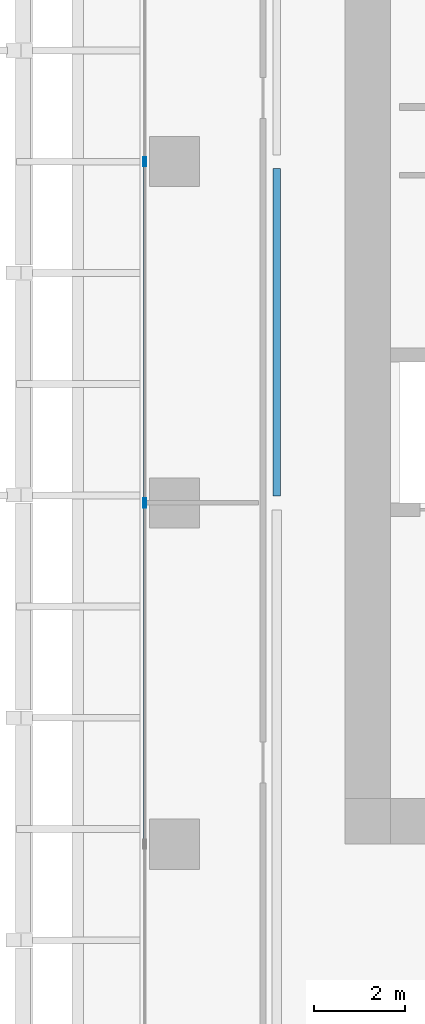
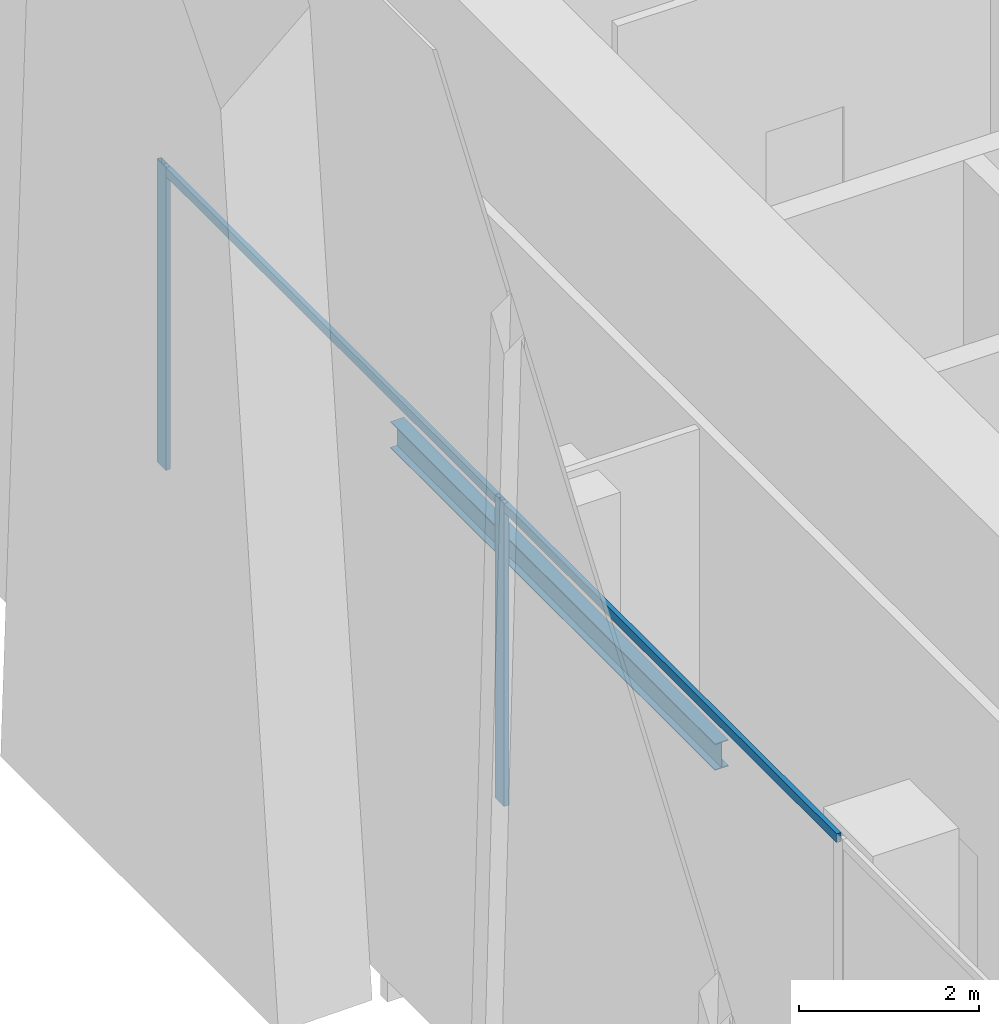
# One storey, part 5 of 37: 4 members, 1 beam, 1 element without a shape of its own.
"""IFC4 building model written with IfcOpenShell, lengths in metres."""

from ifc_helpers import new_model, si_unit, direction, frame, origin, origin_2d, place, context, subcontext, project, spatial, hollow_rectangle, i_section, extrude, source, transform, mapped, material, material_profile, profile_set, type_object, element, aggregate, save


model = new_model("IFC4")

# Units and contexts
model_context = context("Model", 3, precision=1e-05, world=origin(), true_north=direction((0.0, 1.0)))
body_context = subcontext(model_context, "Body", "Model", "MODEL_VIEW")
ifc_project = project(units=[si_unit("LENGTHUNIT", "METRE"), si_unit("AREAUNIT", "SQUARE_METRE"), si_unit("VOLUMEUNIT", "CUBIC_METRE"), si_unit("PLANEANGLEUNIT", "RADIAN"), si_unit("MASSUNIT", "GRAM", prefix="KILO")], contexts=[model_context])

# Site, building, storey
site_placement = place(None, origin())
site = spatial("IfcSite", under=ifc_project, at=site_placement, CompositionType="ELEMENT")
building_placement = place(site_placement, origin())
building = spatial("IfcBuilding", under=site, at=building_placement, Name="Khomas Fold Tower", CompositionType="ELEMENT")
storey_placement = place(building_placement, frame((0.0, 0.0, 101.5)))
storey = spatial("IfcBuildingStorey", under=building, at=storey_placement, Name="L21", CompositionType="ELEMENT", Elevation=101.5)

# Beam
ifc_material_1 = material(Name="Steel S355", Category="steel")
ifc_material_profile_1 = material_profile(ifc_material_1, i_section(OverallWidth=0.169921875, OverallDepth=0.360107421875, WebThickness=0.008056640625, FlangeThickness=0.0126953125, at=origin_2d()), Name="IPE 360")
ifc_profile_set_1 = profile_set([ifc_material_profile_1], Name="Steel S355")
beam_type = type_object("IfcBeamType", Name="IPE 360 beam JB2", PredefinedType="BEAM", material=ifc_profile_set_1)
shared_shape_1 = source(origin(), body_context, "Body", "SweptSolid", [
    extrude(i_section(OverallWidth=0.169921875, OverallDepth=0.360107421875, WebThickness=0.008056640625, FlangeThickness=0.0126953125, at=origin_2d()), origin(), (0.0, 0.0, 1.0), 7.19677734375),
])
beam_placement = place(storey_placement, frame((4.5, 19.651611328125, -0.47998046875), z_axis=(0.0, 1.0, 0.0), x_axis=(-1.0, 0.0, 0.0)))
element("IfcBeam", 1, at=beam_placement, inside=storey, type_object=beam_type, Name="JB2", PredefinedType="BEAM", context=body_context, shape_type="MappedRepresentation", body=[
    mapped(shared_shape_1, transform((0.0, 0.0, 0.0))),
])

# Curtain wall, members
ifc_material_2 = material(Name="Aluminium framed double glazing", Category="aluminium")
curtain_wall_type = type_object("IfcCurtainWallType", Name="SK-Unitised clear-glass wall, growing floors CW1", PredefinedType="NOTDEFINED", material=ifc_material_2)
curtain_wall_placement = place(storey_placement, origin())
curtain_wall = element("IfcCurtainWall", 2, at=curtain_wall_placement, inside=storey, type_object=curtain_wall_type, Name="CW1 run L21 09-0", PredefinedType="NOTDEFINED")
ifc_material_3 = material(Name="Aluminium", Category="aluminium")
ifc_material_profile_2 = material_profile(ifc_material_3, hollow_rectangle(XDim=0.06005859375, YDim=0.1201171875, WallThickness=0.00390625, at=origin_2d()), Name="SK-Unitised clear-glass wall, growing floors transom CW1-T")
ifc_profile_set_2 = profile_set([ifc_material_profile_2], Name="Aluminium")
member_type_1 = type_object("IfcMemberType", Name="SK-Unitised clear-glass wall, growing floors transom CW1-T", PredefinedType="USERDEFINED", material=ifc_profile_set_2)
shared_shape_2 = source(origin(), body_context, "Body", "SweptSolid", [
    extrude(hollow_rectangle(XDim=0.06005859375, YDim=0.1201171875, WallThickness=0.00390625, at=origin_2d()), origin(), (0.0, 0.0, 1.0), 7.43994140625),
])
member_1_placement = place(storey_placement, frame((1.60009765625, 26.969970703125, 4.0400390625), z_axis=(0.0, -1.0, 0.0), x_axis=(1.0, 0.0, 0.0)))
member_1 = element("IfcMember", 3, at=member_1_placement, type_object=member_type_1, Name="CW1 transom 5", ObjectType="TRANSOM", PredefinedType="USERDEFINED", context=body_context, shape_type="MappedRepresentation", body=[
    mapped(shared_shape_2, transform((0.0, 0.0, 0.0))),
])
member_2_placement = place(storey_placement, frame((1.60009765625, 19.469970703125, 4.0400390625), z_axis=(0.0, -1.0, 0.0), x_axis=(1.0, 0.0, 0.0)))
member_2 = element("IfcMember", 4, at=member_2_placement, type_object=member_type_1, Name="CW1 transom 6", ObjectType="TRANSOM", PredefinedType="USERDEFINED", context=body_context, shape_type="MappedRepresentation", body=[
    mapped(shared_shape_2, transform((0.0, 0.0, 0.0))),
])
ifc_material_4 = material(Name="Aluminium", Category="aluminium")
ifc_material_profile_3 = material_profile(ifc_material_4, hollow_rectangle(XDim=0.06005859375, YDim=0.199951171875, WallThickness=0.00390625, at=origin_2d()), Name="SK-Unitised clear-glass wall, growing floors mullion CW1-M")
ifc_profile_set_3 = profile_set([ifc_material_profile_3], Name="Aluminium")
member_type_2 = type_object("IfcMemberType", Name="SK-Unitised clear-glass wall, growing floors mullion CW1-M", PredefinedType="MULLION", material=ifc_profile_set_3)
shared_shape_3 = source(origin(), body_context, "Body", "SweptSolid", [
    extrude(hollow_rectangle(XDim=0.06005859375, YDim=0.199951171875, WallThickness=0.00390625, at=origin_2d()), origin(), (0.0, 0.0, 1.0), 4.10009765625),
])
member_3_placement = place(storey_placement, frame((1.60009765625, 27.0, 0.0), z_axis=(0.0, 0.0, 1.0), x_axis=(1.0, 0.0, 0.0)))
member_3 = element("IfcMember", 5, at=member_3_placement, type_object=member_type_2, Name="CW1 mullion 5", PredefinedType="MULLION", context=body_context, shape_type="MappedRepresentation", body=[
    mapped(shared_shape_3, transform((0.0, 0.0, 0.0))),
])
member_4_placement = place(storey_placement, frame((1.60009765625, 19.5, 0.0), z_axis=(0.0, 0.0, 1.0), x_axis=(1.0, 0.0, 0.0)))
member_4 = element("IfcMember", 6, at=member_4_placement, type_object=member_type_2, Name="CW1 mullion 6", PredefinedType="MULLION", context=body_context, shape_type="MappedRepresentation", body=[
    mapped(shared_shape_3, transform((0.0, 0.0, 0.0))),
])
aggregate(curtain_wall, [member_3, member_4, member_1, member_2])

save(model, "model.ifc")
